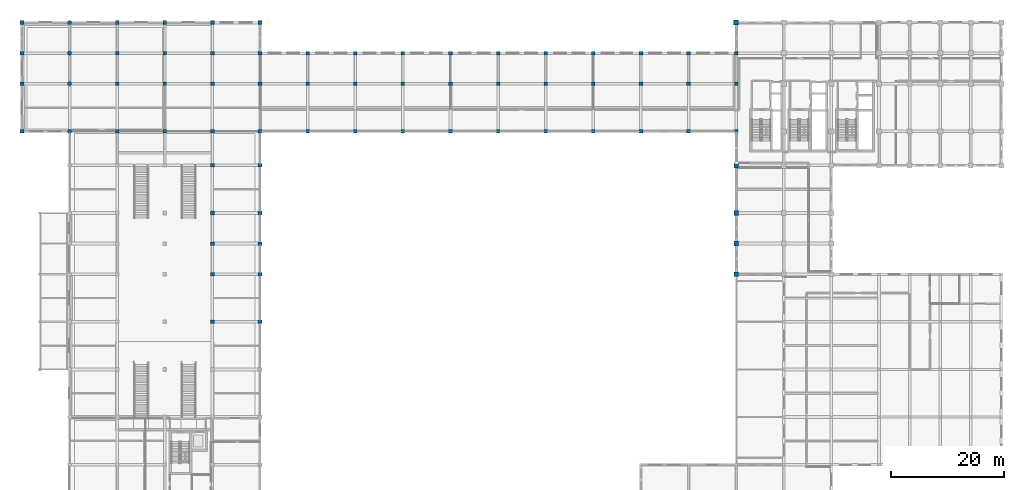
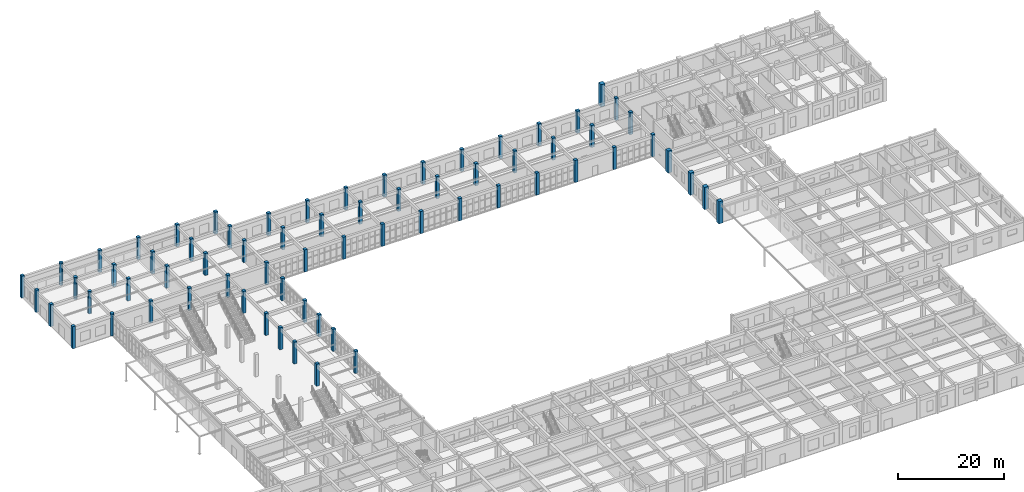
# One storey, part 13 of 80: 69 columns.
"""IFC4 building model written with IfcOpenShell, lengths in metres."""

from ifc_helpers import new_model, si_unit, direction, frame, origin, origin_2d, place, context, subcontext, project, spatial, rectangle, circle, extrude, material, material_profile, profile_set, type_object, element, save


model = new_model("IFC4")

# Units and contexts
model_context = context("Model", 3, precision=1e-05, world=origin(), true_north=direction((0.0, 1.0)))
body_context = subcontext(model_context, "Body", "Model", "MODEL_VIEW")
ifc_project = project(units=[si_unit("LENGTHUNIT", "METRE"), si_unit("AREAUNIT", "SQUARE_METRE"), si_unit("VOLUMEUNIT", "CUBIC_METRE"), si_unit("PLANEANGLEUNIT", "RADIAN"), si_unit("MASSUNIT", "GRAM", prefix="KILO")], contexts=[model_context])

# Site, building, storey
site_placement = place(None, origin())
site = spatial("IfcSite", under=ifc_project, at=site_placement, CompositionType="ELEMENT")
building_placement = place(site_placement, origin())
building = spatial("IfcBuilding", under=site, at=building_placement, Name="Krzemoval Escarpment Law Courts", CompositionType="ELEMENT")
storey_placement = place(building_placement, origin())
storey = spatial("IfcBuildingStorey", under=building, at=storey_placement, Name="L00", CompositionType="ELEMENT", Elevation=0.0)

# Columns
ifc_material_1 = material(Name="Concrete C40/50", Category="concrete")
ifc_material_profile_1 = material_profile(ifc_material_1, rectangle(XDim=0.64990234375, YDim=0.64990234375, at=origin_2d()), Name="RC 650x650")
ifc_profile_set_1 = profile_set([ifc_material_profile_1], Name="Concrete C40/50")
column_type_1 = type_object("IfcColumnType", Name="COL-RC-650", PredefinedType="COLUMN", material=ifc_profile_set_1)
for number, where, z_axis, x_axis, name in (
    (1, (0.0, 99.60009765625, 0.0), (0.0, 0.0, 1.0), (1.0, 0.0, 0.0), "Column FC-L00-0277"),
    (2, (0.0, 108.0, 0.0), (0.0, 0.0, 1.0), (1.0, 0.0, 0.0), "Column FC-L00-0278"),
    (3, (0.0, 113.39990234375, 0.0), (0.0, 0.0, 1.0), (1.0, 0.0, 0.0), "Column FC-L00-0279"),
    (4, (0.0, 118.800048828125, 0.0), (0.0, 0.0, 1.0), (1.0, 0.0, 0.0), "Column FC-L00-0280"),
    (5, (16.800048828125, 99.60009765625, 0.0), (0.0, 0.0, 1.0), (1.0, 0.0, 0.0), "Column FC-L00-0311"),
    (6, (16.800048828125, 108.0, 0.0), (0.0, 0.0, 1.0), (1.0, 0.0, 0.0), "Column FC-L00-0312"),
    (7, (16.800048828125, 113.39990234375, 0.0), (0.0, 0.0, 1.0), (1.0, 0.0, 0.0), "Column FC-L00-0313"),
    (8, (16.800048828125, 118.800048828125, 0.0), (0.0, 0.0, 1.0), (1.0, 0.0, 0.0), "Column FC-L00-0314"),
    (9, (25.199951171875, 99.60009765625, 0.0), (0.0, 0.0, 1.0), (1.0, 0.0, 0.0), "Column FC-L00-0328"),
    (10, (25.199951171875, 108.0, 0.0), (0.0, 0.0, 1.0), (1.0, 0.0, 0.0), "Column FC-L00-0329"),
    (11, (25.199951171875, 113.39990234375, 0.0), (0.0, 0.0, 1.0), (1.0, 0.0, 0.0), "Column FC-L00-0330"),
    (12, (25.199951171875, 118.800048828125, 0.0), (0.0, 0.0, 1.0), (1.0, 0.0, 0.0), "Column FC-L00-0331"),
    (13, (33.60009765625, 66.0, 0.0), (0.0, 0.0, 1.0), (1.0, 0.0, 0.0), "Column FC-L00-0340"),
    (14, (33.60009765625, 74.39990234375, 0.0), (0.0, 0.0, 1.0), (1.0, 0.0, 0.0), "Column FC-L00-0341"),
    (15, (33.60009765625, 79.800048828125, 0.0), (0.0, 0.0, 1.0), (1.0, 0.0, 0.0), "Column FC-L00-0342"),
    (16, (33.60009765625, 85.199951171875, 0.0), (0.0, 0.0, 1.0), (1.0, 0.0, 0.0), "Column FC-L00-0343"),
    (17, (33.60009765625, 93.60009765625, 0.0), (0.0, 0.0, 1.0), (1.0, 0.0, 0.0), "Column FC-L00-0344"),
    (18, (33.60009765625, 99.60009765625, 0.0), (0.0, 0.0, 1.0), (1.0, 0.0, 0.0), "Column FC-L00-0345"),
    (19, (33.60009765625, 108.0, 0.0), (0.0, 0.0, 1.0), (1.0, 0.0, 0.0), "Column FC-L00-0346"),
    (20, (33.60009765625, 113.39990234375, 0.0), (0.0, 0.0, 1.0), (1.0, 0.0, 0.0), "Column FC-L00-0347"),
    (21, (33.60009765625, 118.800048828125, 0.0), (0.0, 0.0, 1.0), (1.0, 0.0, 0.0), "Column FC-L00-0348"),
    (22, (42.0, 66.0, 0.0), (0.0, 0.0, 1.0), (1.0, 0.0, 0.0), "Column FC-L00-0357"),
    (23, (42.0, 74.39990234375, 0.0), (0.0, 0.0, 1.0), (1.0, 0.0, 0.0), "Column FC-L00-0358"),
    (24, (42.0, 79.800048828125, 0.0), (0.0, 0.0, 1.0), (1.0, 0.0, 0.0), "Column FC-L00-0359"),
    (25, (42.0, 85.199951171875, 0.0), (0.0, 0.0, 1.0), (1.0, 0.0, 0.0), "Column FC-L00-0360"),
    (26, (42.0, 93.60009765625, 0.0), (0.0, 0.0, 1.0), (1.0, 0.0, 0.0), "Column FC-L00-0361"),
    (27, (42.0, 99.60009765625, 0.0), (0.0, 0.0, 1.0), (1.0, 0.0, 0.0), "Column FC-L00-0362"),
    (28, (42.0, 108.0, 0.0), (0.0, 0.0, 1.0), (1.0, 0.0, 0.0), "Column FC-L00-0363"),
    (29, (42.0, 113.39990234375, 0.0), (0.0, 0.0, 1.0), (1.0, 0.0, 0.0), "Column FC-L00-0364"),
    (30, (42.0, 118.800048828125, 0.0), (0.0, 0.0, 1.0), (1.0, 0.0, 0.0), "Column FC-L00-0365"),
    (31, (50.39990234375, 99.60009765625, 0.0), (0.0, 0.0, 1.0), (1.0, 0.0, 0.0), "Column FC-L00-0371"),
    (32, (50.39990234375, 108.0, 0.0), (0.0, 0.0, 1.0), (1.0, 0.0, 0.0), "Column FC-L00-0372"),
    (33, (50.39990234375, 113.39990234375, 0.0), (0.0, 0.0, 1.0), (1.0, 0.0, 0.0), "Column FC-L00-0373"),
    (34, (58.800048828125, 99.60009765625, 0.0), (0.0, 0.0, 1.0), (1.0, 0.0, 0.0), "Column FC-L00-0379"),
    (35, (58.800048828125, 108.0, 0.0), (0.0, 0.0, 1.0), (1.0, 0.0, 0.0), "Column FC-L00-0380"),
    (36, (58.800048828125, 113.39990234375, 0.0), (0.0, 0.0, 1.0), (1.0, 0.0, 0.0), "Column FC-L00-0381"),
    (37, (67.199951171875, 99.60009765625, 0.0), (0.0, 0.0, 1.0), (1.0, 0.0, 0.0), "Column FC-L00-0387"),
    (38, (67.199951171875, 108.0, 0.0), (0.0, 0.0, 1.0), (1.0, 0.0, 0.0), "Column FC-L00-0388"),
    (39, (67.199951171875, 113.39990234375, 0.0), (0.0, 0.0, 1.0), (1.0, 0.0, 0.0), "Column FC-L00-0389"),
    (40, (75.60009765625, 99.60009765625, 0.0), (0.0, 0.0, 1.0), (1.0, 0.0, 0.0), "Column FC-L00-0395"),
    (41, (75.60009765625, 108.0, 0.0), (0.0, 0.0, 1.0), (1.0, 0.0, 0.0), "Column FC-L00-0396"),
    (42, (75.60009765625, 113.39990234375, 0.0), (0.0, 0.0, 1.0), (1.0, 0.0, 0.0), "Column FC-L00-0397"),
    (43, (84.0, 99.60009765625, 0.0), (0.0, 0.0, 1.0), (1.0, 0.0, 0.0), "Column FC-L00-0403"),
    (44, (84.0, 108.0, 0.0), (0.0, 0.0, 1.0), (1.0, 0.0, 0.0), "Column FC-L00-0404"),
    (45, (84.0, 113.39990234375, 0.0), (0.0, 0.0, 1.0), (1.0, 0.0, 0.0), "Column FC-L00-0405"),
    (46, (92.39990234375, 99.60009765625, 0.0), (0.0, 0.0, 1.0), (1.0, 0.0, 0.0), "Column FC-L00-0411"),
    (47, (92.39990234375, 108.0, 0.0), (0.0, 0.0, 1.0), (1.0, 0.0, 0.0), "Column FC-L00-0412"),
    (48, (92.39990234375, 113.39990234375, 0.0), (0.0, 0.0, 1.0), (1.0, 0.0, 0.0), "Column FC-L00-0413"),
    (49, (100.800048828125, 99.60009765625, 0.0), (0.0, 0.0, 1.0), (1.0, 0.0, 0.0), "Column FC-L00-0419"),
    (50, (100.800048828125, 108.0, 0.0), (0.0, 0.0, 1.0), (1.0, 0.0, 0.0), "Column FC-L00-0420"),
    (51, (100.800048828125, 113.39990234375, 0.0), (0.0, 0.0, 1.0), (1.0, 0.0, 0.0), "Column FC-L00-0421"),
    (52, (109.199951171875, 99.60009765625, 0.0), (0.0, 0.0, 1.0), (1.0, 0.0, 0.0), "Column FC-L00-0428"),
    (53, (109.199951171875, 108.0, 0.0), (0.0, 0.0, 1.0), (1.0, 0.0, 0.0), "Column FC-L00-0429"),
    (54, (109.199951171875, 113.39990234375, 0.0), (0.0, 0.0, 1.0), (1.0, 0.0, 0.0), "Column FC-L00-0430"),
    (55, (117.60009765625, 99.60009765625, 0.0), (0.0, 0.0, 1.0), (1.0, 0.0, 0.0), "Column FC-L00-0437"),
    (56, (117.60009765625, 108.0, 0.0), (0.0, 0.0, 1.0), (1.0, 0.0, 0.0), "Column FC-L00-0438"),
    (57, (117.60009765625, 113.39990234375, 0.0), (0.0, 0.0, 1.0), (1.0, 0.0, 0.0), "Column FC-L00-0439"),
    (58, (126.0, 99.60009765625, 0.0), (0.0, 0.0, 1.0), (1.0, 0.0, 0.0), "Column FC-L00-0450"),
    (59, (126.0, 108.0, 0.0), (0.0, 0.0, 1.0), (1.0, 0.0, 0.0), "Column FC-L00-0451"),
    (60, (126.0, 113.39990234375, 0.0), (0.0, 0.0, 1.0), (1.0, 0.0, 0.0), "Column FC-L00-0452"),
):
    element("IfcColumn", number, at=place(storey_placement, frame(where, z_axis=z_axis, x_axis=x_axis)), inside=storey, type_object=column_type_1, Name=name, PredefinedType="COLUMN", context=body_context, shape_type="SweptSolid", body=[
        extrude(rectangle(XDim=0.64990234375, YDim=0.64990234375, at=origin_2d()), origin(), (0.0, 0.0, 1.0), 5.10009765625),
    ])
ifc_material_2 = material(Name="Concrete C50/60", Category="concrete")
ifc_material_profile_2 = material_profile(ifc_material_2, rectangle(XDim=0.85009765625, YDim=0.85009765625, at=origin_2d()), Name="RC 850x850")
ifc_profile_set_2 = profile_set([ifc_material_profile_2], Name="Concrete C50/60")
column_type_2 = type_object("IfcColumnType", Name="COL-RC-850", PredefinedType="COLUMN", material=ifc_profile_set_2)
for number, where, z_axis, x_axis, name in (
    (61, (126.0, 74.39990234375, 0.0), (0.0, 0.0, 1.0), (1.0, 0.0, 0.0), "Column FC-L00-0446"),
    (62, (126.0, 79.800048828125, 0.0), (0.0, 0.0, 1.0), (1.0, 0.0, 0.0), "Column FC-L00-0447"),
    (63, (126.0, 85.199951171875, 0.0), (0.0, 0.0, 1.0), (1.0, 0.0, 0.0), "Column FC-L00-0448"),
    (64, (126.0, 93.60009765625, 0.0), (0.0, 0.0, 1.0), (1.0, 0.0, 0.0), "Column FC-L00-0449"),
):
    element("IfcColumn", number, at=place(storey_placement, frame(where, z_axis=z_axis, x_axis=x_axis)), inside=storey, type_object=column_type_2, Name=name, PredefinedType="COLUMN", context=body_context, shape_type="SweptSolid", body=[
        extrude(rectangle(XDim=0.85009765625, YDim=0.85009765625, at=origin_2d()), origin(), (0.0, 0.0, 1.0), 5.10009765625),
    ])
ifc_material_3 = material(Name="Concrete C50/60", Category="concrete")
ifc_material_profile_3 = material_profile(ifc_material_3, rectangle(XDim=0.89990234375, YDim=0.89990234375, at=origin_2d()), Name="RC 900x900")
ifc_profile_set_3 = profile_set([ifc_material_profile_3], Name="Concrete C50/60")
column_type_3 = type_object("IfcColumnType", Name="COL-RC-900", PredefinedType="COLUMN", material=ifc_profile_set_3)
column_placement = place(storey_placement, frame((126.0, 118.800048828125, 0.0), z_axis=(0.0, 0.0, 1.0), x_axis=(1.0, 0.0, 0.0)))
element("IfcColumn", 65, at=column_placement, inside=storey, type_object=column_type_3, Name="Column FC-L00-0453", PredefinedType="COLUMN", context=body_context, shape_type="SweptSolid", body=[
    extrude(rectangle(XDim=0.89990234375, YDim=0.89990234375, at=origin_2d()), origin(), (0.0, 0.0, 1.0), 5.10009765625),
])
ifc_material_4 = material(Name="Concrete C40/50", Category="concrete")
ifc_material_profile_4 = material_profile(ifc_material_4, circle(Radius=0.375, at=origin_2d()), Name="RC D750")
ifc_profile_set_4 = profile_set([ifc_material_profile_4], Name="Concrete C40/50")
column_type_4 = type_object("IfcColumnType", Name="COL-RCD-750", PredefinedType="COLUMN", material=ifc_profile_set_4)
for number, where, z_axis, x_axis, name in (
    (66, (8.39990234375, 99.60009765625, 0.0), (0.0, 0.0, 1.0), (1.0, 0.0, 0.0), "Column FC-L00-0294"),
    (67, (8.39990234375, 108.0, 0.0), (0.0, 0.0, 1.0), (1.0, 0.0, 0.0), "Column FC-L00-0295"),
    (68, (8.39990234375, 113.39990234375, 0.0), (0.0, 0.0, 1.0), (1.0, 0.0, 0.0), "Column FC-L00-0296"),
    (69, (8.39990234375, 118.800048828125, 0.0), (0.0, 0.0, 1.0), (1.0, 0.0, 0.0), "Column FC-L00-0297"),
):
    element("IfcColumn", number, at=place(storey_placement, frame(where, z_axis=z_axis, x_axis=x_axis)), inside=storey, type_object=column_type_4, Name=name, PredefinedType="COLUMN", context=body_context, shape_type="SweptSolid", body=[
        extrude(circle(Radius=0.375, at=origin_2d()), origin(), (0.0, 0.0, 1.0), 5.10009765625),
    ])

save(model, "model.ifc")
